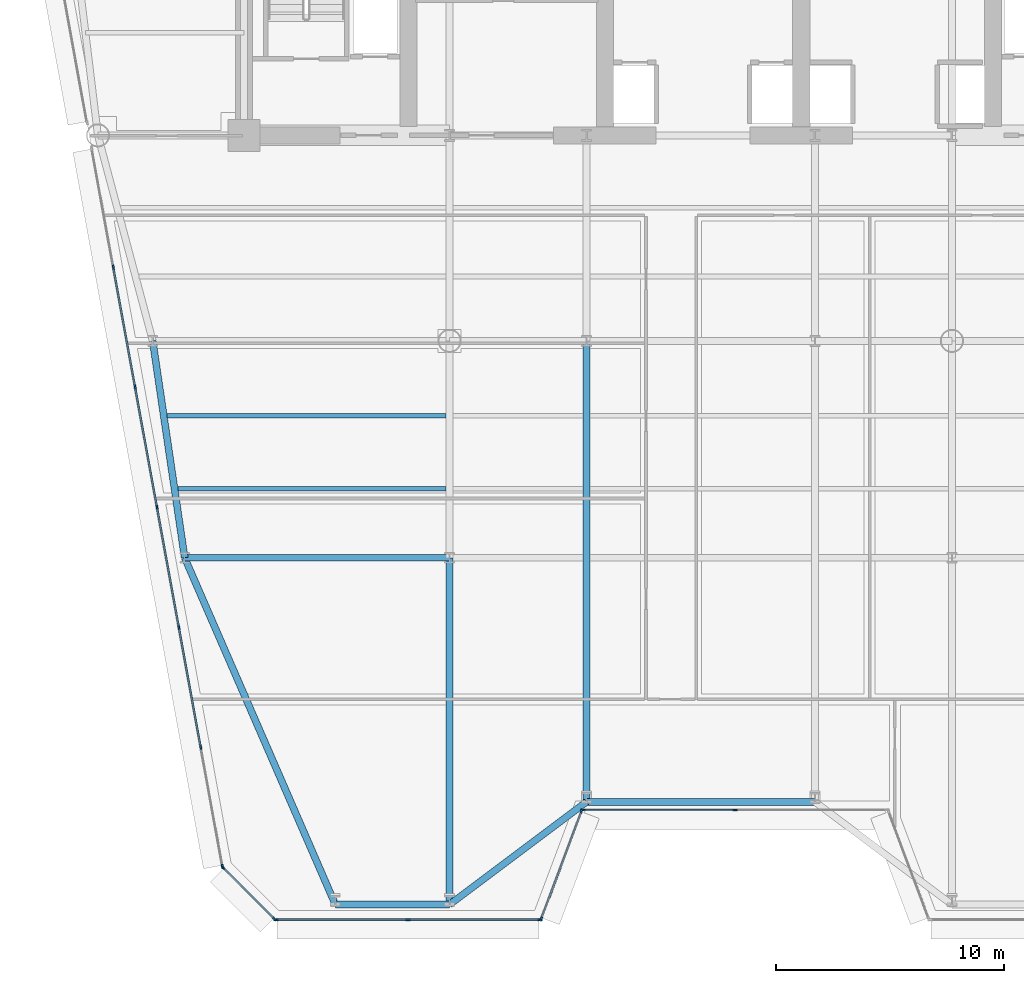
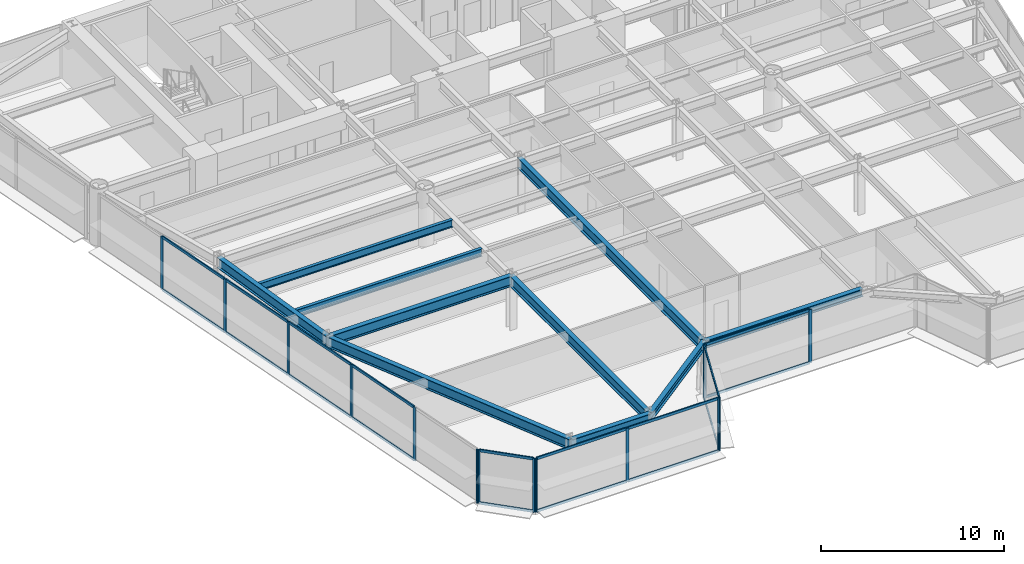
# One storey, part 2 of 14: 33 members, 10 beams, 5 elements without a shape of their own.
"""IFC4 building model written with IfcOpenShell, lengths in metres."""

import ifcopenshell
import ifcopenshell.guid

model = None  # the IFC model being written
_history = None  # IfcOwnerHistory: only IFC2X3 demands one
_inside = {}  # id of a spatial element -> (the spatial element, [elements in it])
_under = {}  # id of a project, library or spatial element -> (it, [spatial elements below it])
_declared = {}  # id of a project -> (the project, [libraries it declares])
_typed = {}  # id of a type object -> (the type object, [elements of that type])
_made_of = {}  # id of a material, layer set ... -> (it, [elements and type objects made of it])


def new_model(schema):
    """Start an empty IFC model of exactly this schema.

    Asked for "IFC4X3", IfcOpenShell would pick the latest addendum, in which some entities
    have other attributes; the version numbers below select the first issue.
    IFC2X3 requires an IfcOwnerHistory on every rooted entity: one is made here for all.
    """
    global model, _history
    if schema == "IFC4X3":
        model = ifcopenshell.file(schema_version=(4, 3, 0, 0))
    else:
        model = ifcopenshell.file(schema=schema)
    _inside.clear()
    _under.clear()
    _declared.clear()
    _typed.clear()
    _made_of.clear()
    _history = None
    if model.schema == "IFC2X3":
        org = make("IfcOrganization", Name="unknown")
        user = make(
            "IfcPersonAndOrganization",
            ThePerson=make("IfcPerson", FamilyName="unknown"),
            TheOrganization=org,
        )
        app = make(
            "IfcApplication",
            ApplicationDeveloper=org,
            Version="unknown",
            ApplicationFullName="unknown",
            ApplicationIdentifier="unknown",
        )
        _history = make(
            "IfcOwnerHistory",
            OwningUser=user,
            OwningApplication=app,
            ChangeAction="ADDED",
            CreationDate=0,
        )
    return model


def make(cls, **values):
    """One entity of the class cls with the attributes given. An attribute that is None is left unset."""
    return model.create_entity(
        cls, **{name: value for name, value in values.items() if value is not None}
    )


def rooted(cls, **values):
    """An entity with a GlobalId (a new one), such as an element, a storey or a relation."""
    return make(cls, GlobalId=ifcopenshell.guid.new(), OwnerHistory=_history, **values)


def si_unit(unit_type, name, prefix=None):
    """IfcSIUnit, for example si_unit("LENGTHUNIT", "METRE", prefix="MILLI")."""
    return make("IfcSIUnit", UnitType=unit_type, Prefix=prefix, Name=name)


def assignment(units):
    """IfcUnitAssignment: the units of a project."""
    return None if units is None else make("IfcUnitAssignment", Units=units)


def point(xyz):
    """IfcCartesianPoint."""
    return None if xyz is None else make("IfcCartesianPoint", Coordinates=xyz)


def direction(xyz):
    """IfcDirection."""
    return None if xyz is None else make("IfcDirection", DirectionRatios=xyz)


def frame(location, z_axis=None, x_axis=None):
    """IfcAxis2Placement3D, a coordinate frame: its origin and axes. An axis left out is left unset."""
    return make(
        "IfcAxis2Placement3D",
        Location=point(location),
        Axis=direction(z_axis),
        RefDirection=direction(x_axis),
    )


def frame_2d(location, x_axis=None):
    """IfcAxis2Placement2D, a coordinate frame in the plane: its origin and x axis."""
    return make(
        "IfcAxis2Placement2D", Location=point(location), RefDirection=direction(x_axis)
    )


def origin():
    """The frame at (0, 0, 0) with its axes left unset."""
    return frame((0.0, 0.0, 0.0))


def origin_2d():
    """The frame at (0, 0) in the plane with its x axis left unset."""
    return frame_2d((0.0, 0.0))


def place(relative_to, where):
    """IfcLocalPlacement: puts the frame where relative to a parent placement (None: the world)."""
    return make(
        "IfcLocalPlacement", PlacementRelTo=relative_to, RelativePlacement=where
    )


def context(
    kind, dimensions, precision=None, world=None, true_north=None, identifier=None
):
    """IfcGeometricRepresentationContext, for example the 3D "Model" context."""
    return make(
        "IfcGeometricRepresentationContext",
        ContextIdentifier=identifier,
        ContextType=kind,
        CoordinateSpaceDimension=dimensions,
        Precision=precision,
        WorldCoordinateSystem=world,
        TrueNorth=true_north,
    )


def subcontext(parent, identifier, kind, view, scale=None):
    """IfcGeometricRepresentationSubContext, for example "Body" below "Model"."""
    return make(
        "IfcGeometricRepresentationSubContext",
        ContextIdentifier=identifier,
        ContextType=kind,
        ParentContext=parent,
        TargetScale=scale,
        TargetView=view,
    )


def project(units=None, contexts=None):
    """IfcProject with its units and contexts."""
    return rooted(
        "IfcProject",
        Name="project",
        RepresentationContexts=contexts,
        UnitsInContext=assignment(units),
    )


def spatial(cls, under=None, at=None, **own):
    """A site, building, storey or space (cls), placed at a placement, below another one or the project."""
    s = rooted(cls, ObjectPlacement=at, **own)
    if under is not None:
        _under.setdefault(under.id(), (under, []))[1].append(s)
    return s


def profile(cls, at=None, kind="AREA", **sizes):
    """A parametric profile (cls). Its sizes go by their IFC names, for example OverallWidth=200.0."""
    return make(cls, ProfileType=kind, Position=at, **sizes)


def rectangle(**sizes):
    """IfcRectangleProfileDef."""
    return profile("IfcRectangleProfileDef", **sizes)


def i_section(**sizes):
    """IfcIShapeProfileDef."""
    return profile("IfcIShapeProfileDef", **sizes)


def extrude(swept, where, along, depth):
    """IfcExtrudedAreaSolid: the profile swept, set in the frame where, extruded along a direction by depth."""
    return make(
        "IfcExtrudedAreaSolid",
        SweptArea=swept,
        Position=where,
        ExtrudedDirection=direction(along),
        Depth=depth,
    )


def shape(context_of_items, identifier, shape_type, items):
    """IfcShapeRepresentation: the items that make up one representation, for example the "Body"."""
    return make(
        "IfcShapeRepresentation",
        ContextOfItems=context_of_items,
        RepresentationIdentifier=identifier,
        RepresentationType=shape_type,
        Items=items,
    )


def source(mapping_origin, context_of_items, identifier, shape_type, items):
    """IfcRepresentationMap: a shape defined once, which mapped items show again and again."""
    return make(
        "IfcRepresentationMap",
        MappingOrigin=mapping_origin,
        MappedRepresentation=shape(context_of_items, identifier, shape_type, items),
    )


def transform(
    local_origin,
    x_axis=None,
    y_axis=None,
    z_axis=None,
    scale=None,
    scale2=None,
    scale3=None,
    uniform=True,
):
    """IfcCartesianTransformationOperator3D, or its non-uniform kind. x_axis, y_axis, z_axis: its Axis1, 2, 3."""
    if uniform:
        return make(
            "IfcCartesianTransformationOperator3D",
            Axis1=direction(x_axis),
            Axis2=direction(y_axis),
            LocalOrigin=point(local_origin),
            Scale=scale,
            Axis3=direction(z_axis),
        )
    return make(
        "IfcCartesianTransformationOperator3DnonUniform",
        Axis1=direction(x_axis),
        Axis2=direction(y_axis),
        LocalOrigin=point(local_origin),
        Scale=scale,
        Axis3=direction(z_axis),
        Scale2=scale2,
        Scale3=scale3,
    )


def mapped(mapping_source, mapping_target):
    """IfcMappedItem: shows the shape of a source again, moved by a transform."""
    return make(
        "IfcMappedItem", MappingSource=mapping_source, MappingTarget=mapping_target
    )


def material(Name=None, Category=None):
    """IfcMaterial."""
    return make("IfcMaterial", Name=Name, Category=Category)


def layer(
    of_material, thickness, ventilated=None, Name=None, Category=None, Priority=None
):
    """IfcMaterialLayer: one layer of a wall or slab, of a material (None: an air gap)."""
    return make(
        "IfcMaterialLayer",
        Material=of_material,
        LayerThickness=thickness,
        IsVentilated=ventilated,
        Name=Name,
        Category=Category,
        Priority=Priority,
    )


def layer_set(layers, Name=None):
    """IfcMaterialLayerSet."""
    return make("IfcMaterialLayerSet", MaterialLayers=layers, LayerSetName=Name)


def material_profile(
    of_material, cross_section, Name=None, Category=None, Priority=None
):
    """IfcMaterialProfile: a cross section and its material."""
    return make(
        "IfcMaterialProfile",
        Name=Name,
        Material=of_material,
        Profile=cross_section,
        Priority=Priority,
        Category=Category,
    )


def profile_set(profiles, Name=None, composite=None):
    """IfcMaterialProfileSet."""
    return make(
        "IfcMaterialProfileSet",
        Name=Name,
        MaterialProfiles=profiles,
        CompositeProfile=composite,
    )


def made_of(thing, what):
    """Note that an element or type object is made of a material, layer set ...; save() writes the relation."""
    if what is not None:
        _made_of.setdefault(what.id(), (what, []))[1].append(thing)
    return thing


def type_object(cls, material=None, **own):
    """A type object (cls), such as IfcWallType, which elements share."""
    return made_of(rooted(cls, **own), material)


def element(
    cls,
    number,
    at=None,
    inside=None,
    cuts=None,
    type_object=None,
    material=None,
    context=None,
    identifier="Body",
    shape_type=None,
    held_by="IfcProductDefinitionShape",
    body=None,
    shapes=None,
    **own,
):
    """One element of the class cls, such as IfcWall. Its Tag is "e" and its number.

    at: its placement. inside: the storey or other place that contains it. cuts: it is an
    opening in that element (IfcRelVoidsElement). A single representation is given by context,
    identifier, shape_type and body (its items); several are given by shapes. held_by: the class
    of the entity that holds the representations. save() writes the other relations.
    """
    e = rooted(cls, Tag="e%d" % number, ObjectPlacement=at, **own)
    if body is not None:
        shapes = [shape(context, identifier, shape_type, body)]
    if shapes is not None:
        e.Representation = make(held_by, Representations=shapes)
    if inside is not None:
        _inside.setdefault(inside.id(), (inside, []))[1].append(e)
    if cuts is not None:
        rooted(
            "IfcRelVoidsElement", RelatingBuildingElement=cuts, RelatedOpeningElement=e
        )
    if type_object is not None:
        _typed.setdefault(type_object.id(), (type_object, []))[1].append(e)
    return made_of(e, material)


def aggregate(whole, parts):
    """IfcRelAggregates: a whole, such as a stair, and the parts it consists of."""
    return rooted("IfcRelAggregates", RelatingObject=whole, RelatedObjects=parts)


def save(model, path):
    """Write the relations noted so far, then the file.

    IfcRelAggregates (storeys below a building ...), IfcRelContainedInSpatialStructure (elements
    in a storey), IfcRelDefinesByType, IfcRelAssociatesMaterial and IfcRelDeclares: one each for
    every whole, place, type object, material and project.
    """
    for whole, parts in _under.values():
        aggregate(whole, parts)
    for where, things in _inside.values():
        rooted(
            "IfcRelContainedInSpatialStructure",
            RelatedElements=things,
            RelatingStructure=where,
        )
    for kind, things in _typed.values():
        rooted("IfcRelDefinesByType", RelatedObjects=things, RelatingType=kind)
    for what, things in _made_of.values():
        rooted("IfcRelAssociatesMaterial", RelatedObjects=things, RelatingMaterial=what)
    for by, libraries in _declared.values():
        rooted("IfcRelDeclares", RelatingContext=by, RelatedDefinitions=libraries)
    model.write(path)


model = new_model("IFC4")

# Units and contexts
model_context = context("Model", 3, precision=1e-05, world=origin(), true_north=direction((0.0, 1.0)))
body_context = subcontext(model_context, "Body", "Model", "MODEL_VIEW")
ifc_project = project(units=[si_unit("LENGTHUNIT", "METRE"), si_unit("AREAUNIT", "SQUARE_METRE"), si_unit("VOLUMEUNIT", "CUBIC_METRE"), si_unit("PLANEANGLEUNIT", "RADIAN"), si_unit("MASSUNIT", "GRAM", prefix="KILO")], contexts=[model_context])

# Site, building, storey
site_placement = place(None, origin())
site = spatial("IfcSite", under=ifc_project, at=site_placement, CompositionType="ELEMENT")
building_placement = place(site_placement, origin())
building = spatial("IfcBuilding", under=site, at=building_placement, Name="Vaeldorn Concourse Tower", CompositionType="ELEMENT")
storey_placement = place(building_placement, frame((0.0, 0.0, 111.0)))
storey = spatial("IfcBuildingStorey", under=building, at=storey_placement, Name="L28", CompositionType="ELEMENT", Elevation=111.0)

# Beams
ifc_material_1 = material(Name="Steel S355", Category="steel")
ifc_material_profile_1 = material_profile(ifc_material_1, i_section(OverallWidth=0.199951171875, OverallDepth=0.5, WebThickness=0.01025390625, FlangeThickness=0.01611328125, FilletRadius=0.02099609375, at=origin_2d()), Name="IPE 500")
ifc_profile_set_1 = profile_set([ifc_material_profile_1], Name="Steel S355")
beam_type_1 = type_object("IfcBeamType", Name="BM-JS-IPE500", PredefinedType="JOIST", material=ifc_profile_set_1)
shared_shape_1 = source(origin(), body_context, "Body", "SweptSolid", [
    extrude(i_section(OverallWidth=0.199951171875, OverallDepth=0.5, WebThickness=0.01025390625, FlangeThickness=0.01611328125, FilletRadius=0.02099609375, at=origin_2d()), origin(), (0.0, 0.0, 1.0), 11.7451171875),
])
beam_1_placement = place(storey_placement, frame((11.10498046875, 21.02001953125, 3.330078125), z_axis=(1.0, 0.0, 0.0), x_axis=(0.0, 1.0, 0.0)))
element("IfcBeam", 1, at=beam_1_placement, inside=storey, type_object=beam_type_1, Name="Beam JS-L28-W1-210", PredefinedType="JOIST", context=body_context, shape_type="MappedRepresentation", body=[
    mapped(shared_shape_1, transform((0.0, 0.0, 0.0), scale=1.0)),
])
shared_shape_2 = source(origin(), body_context, "Body", "SweptSolid", [
    extrude(i_section(OverallWidth=0.199951171875, OverallDepth=0.5, WebThickness=0.01025390625, FlangeThickness=0.01611328125, FilletRadius=0.02099609375, at=origin_2d()), origin(), (0.0, 0.0, 1.0), 12.216796875),
])
beam_2_placement = place(storey_placement, frame((10.63330078125, 24.219970703125, 3.330078125), z_axis=(1.0, 0.0, 0.0), x_axis=(0.0, 1.0, 0.0)))
element("IfcBeam", 2, at=beam_2_placement, inside=storey, type_object=beam_type_1, Name="Beam JS-L28-W1-242", PredefinedType="JOIST", context=body_context, shape_type="MappedRepresentation", body=[
    mapped(shared_shape_2, transform((0.0, 0.0, 0.0), scale=1.0)),
])
ifc_material_profile_2 = material_profile(ifc_material_1, i_section(OverallWidth=0.300048828125, OverallDepth=0.5, WebThickness=0.014404296875, FlangeThickness=0.028076171875, FilletRadius=0.027099609375, at=origin_2d()), Name="HEB 500")
ifc_profile_set_2 = profile_set([ifc_material_profile_2], Name="Steel S355")
beam_type_2 = type_object("IfcBeamType", Name="BM-SP-HEB500", PredefinedType="SPANDREL", material=ifc_profile_set_2)
shared_shape_3 = source(origin(), body_context, "Body", "SweptSolid", [
    extrude(i_section(OverallWidth=0.300048828125, OverallDepth=0.5, WebThickness=0.014404296875, FlangeThickness=0.028076171875, FilletRadius=0.027099609375, at=origin_2d()), origin(), (0.0, 0.0, 1.0), 5.0),
])
beam_3_placement = place(storey_placement, frame((18.0, 2.8125, 3.330078125), z_axis=(1.0, 0.0, 0.0), x_axis=(0.0, 1.0, 0.0)))
element("IfcBeam", 3, at=beam_3_placement, inside=storey, type_object=beam_type_2, Name="Beam BM-L28-C-SF1-C-SF2", PredefinedType="SPANDREL", context=body_context, shape_type="MappedRepresentation", body=[
    mapped(shared_shape_3, transform((0.0, 0.0, 0.0), scale=1.0)),
])
shared_shape_4 = source(origin(), body_context, "Body", "SweptSolid", [
    extrude(i_section(OverallWidth=0.300048828125, OverallDepth=0.5, WebThickness=0.014404296875, FlangeThickness=0.028076171875, FilletRadius=0.027099609375, at=origin_2d()), origin(), (0.0, 0.0, 1.0), 7.5),
])
beam_4_placement = place(storey_placement, frame((23.0, 2.8125, 3.330078125), z_axis=(0.8, 0.6, 0.0), x_axis=(-0.6, 0.8, 0.0)))
element("IfcBeam", 4, at=beam_4_placement, inside=storey, type_object=beam_type_2, Name="Beam BM-L28-C-SF2-C-SF3", PredefinedType="SPANDREL", context=body_context, shape_type="MappedRepresentation", body=[
    mapped(shared_shape_4, transform((0.0, 0.0, 0.0), scale=1.0)),
])
shared_shape_5 = source(origin(), body_context, "Body", "SweptSolid", [
    extrude(i_section(OverallWidth=0.300048828125, OverallDepth=0.5, WebThickness=0.014404296875, FlangeThickness=0.028076171875, FilletRadius=0.027099609375, at=origin_2d()), origin(), (0.0, 0.0, 1.0), 10.0),
])
beam_5_placement = place(storey_placement, frame((29.0, 7.3125, 3.330078125), z_axis=(1.0, 0.0, 0.0), x_axis=(0.0, 1.0, 0.0)))
element("IfcBeam", 5, at=beam_5_placement, inside=storey, type_object=beam_type_2, Name="Beam BM-L28-C-SF3-C-SF4", PredefinedType="SPANDREL", context=body_context, shape_type="MappedRepresentation", body=[
    mapped(shared_shape_5, transform((0.0, 0.0, 0.0), scale=1.0)),
])
ifc_material_profile_3 = material_profile(ifc_material_1, i_section(OverallWidth=0.300048828125, OverallDepth=0.699951171875, WebThickness=0.01708984375, FlangeThickness=0.031982421875, FilletRadius=0.027099609375, at=origin_2d()), Name="HEB 700")
ifc_profile_set_3 = profile_set([ifc_material_profile_3], Name="Steel S355")
beam_type_3 = type_object("IfcBeamType", Name="BM-PG-HEB700", PredefinedType="BEAM", material=ifc_profile_set_3)
shared_shape_6 = source(origin(), body_context, "Body", "SweptSolid", [
    extrude(i_section(OverallWidth=0.300048828125, OverallDepth=0.699951171875, WebThickness=0.01708984375, FlangeThickness=0.031982421875, FilletRadius=0.027099609375, at=origin_2d()), origin(), (0.0, 0.0, 1.0), 9.6025390625),
])
beam_6_placement = place(storey_placement, frame((10.0, 27.5, 3.22998046875), z_axis=(0.145783835977, -0.989316467652, 0.0), x_axis=(0.989316467652, 0.145783835977, 0.0)))
element("IfcBeam", 6, at=beam_6_placement, inside=storey, type_object=beam_type_3, Name="Beam BM-L28-C-FLW1-C-FLW2", PredefinedType="BEAM", context=body_context, shape_type="MappedRepresentation", body=[
    mapped(shared_shape_6, transform((0.0, 0.0, 0.0), scale=1.0)),
])
shared_shape_7 = source(origin(), body_context, "Body", "SweptSolid", [
    extrude(i_section(OverallWidth=0.300048828125, OverallDepth=0.699951171875, WebThickness=0.01708984375, FlangeThickness=0.031982421875, FilletRadius=0.027099609375, at=origin_2d()), origin(), (0.0, 0.0, 1.0), 11.60009765625),
])
beam_7_placement = place(storey_placement, frame((11.39990234375, 18.0, 3.22998046875), z_axis=(1.0, 0.0, 0.0), x_axis=(0.0, 1.0, 0.0)))
element("IfcBeam", 7, at=beam_7_placement, inside=storey, type_object=beam_type_3, Name="Beam BM-L28-C-FLW2-C-TW5", PredefinedType="BEAM", context=body_context, shape_type="MappedRepresentation", body=[
    mapped(shared_shape_7, transform((0.0, 0.0, 0.0), scale=1.0)),
])
shared_shape_8 = source(origin(), body_context, "Body", "SweptSolid", [
    extrude(i_section(OverallWidth=0.300048828125, OverallDepth=0.699951171875, WebThickness=0.01708984375, FlangeThickness=0.031982421875, FilletRadius=0.027099609375, at=origin_2d()), origin(), (0.0, 0.0, 1.0), 16.5595703125),
])
beam_8_placement = place(storey_placement, frame((18.0, 2.8125, 3.22998046875), z_axis=(-0.398565454531, 0.917139890341, 0.0), x_axis=(-0.917139890341, -0.398565454531, 0.0)))
element("IfcBeam", 8, at=beam_8_placement, inside=storey, type_object=beam_type_3, Name="Beam BM-L28-C-SF1-C-FLW2", PredefinedType="BEAM", context=body_context, shape_type="MappedRepresentation", body=[
    mapped(shared_shape_8, transform((0.0, 0.0, 0.0), scale=1.0)),
])
shared_shape_9 = source(origin(), body_context, "Body", "SweptSolid", [
    extrude(i_section(OverallWidth=0.300048828125, OverallDepth=0.699951171875, WebThickness=0.01708984375, FlangeThickness=0.031982421875, FilletRadius=0.027099609375, at=origin_2d()), origin(), (0.0, 0.0, 1.0), 15.1875),
])
beam_9_placement = place(storey_placement, frame((23.0, 2.8125, 3.22998046875), z_axis=(0.0, 1.0, 0.0), x_axis=(-1.0, 0.0, 0.0)))
element("IfcBeam", 9, at=beam_9_placement, inside=storey, type_object=beam_type_3, Name="Beam BM-L28-C-SF2-C-TW5", PredefinedType="BEAM", context=body_context, shape_type="MappedRepresentation", body=[
    mapped(shared_shape_9, transform((0.0, 0.0, 0.0), scale=1.0)),
])
shared_shape_10 = source(origin(), body_context, "Body", "SweptSolid", [
    extrude(i_section(OverallWidth=0.300048828125, OverallDepth=0.699951171875, WebThickness=0.01708984375, FlangeThickness=0.031982421875, FilletRadius=0.027099609375, at=origin_2d()), origin(), (0.0, 0.0, 1.0), 20.1875),
])
beam_10_placement = place(storey_placement, frame((29.0, 7.3125, 3.22998046875), z_axis=(0.0, 1.0, 0.0), x_axis=(-1.0, 0.0, 0.0)))
element("IfcBeam", 10, at=beam_10_placement, inside=storey, type_object=beam_type_3, Name="Beam BM-L28-C-SF3-C-TW2", PredefinedType="BEAM", context=body_context, shape_type="MappedRepresentation", body=[
    mapped(shared_shape_10, transform((0.0, 0.0, 0.0), scale=1.0)),
])

# Curtain wall, members
ifc_material_2 = material(Name="Anodised Bronze Aluminium", Category="aluminium")
ifc_layer = layer(ifc_material_2, 0.199951171875)
ifc_layer_set = layer_set([ifc_layer], Name="Anodised Bronze Aluminium")
curtain_wall_type = type_object("IfcCurtainWallType", Name="CW-SYS-02", PredefinedType="NOTDEFINED", material=ifc_layer_set)
curtain_wall_1_placement = place(storey_placement, origin())
curtain_wall_1 = element("IfcCurtainWall", 11, at=curtain_wall_1_placement, inside=storey, type_object=curtain_wall_type, Name="Unitised Curtain Wall CW-L28-E03-1", PredefinedType="NOTDEFINED")
ifc_material_profile_4 = material_profile(ifc_material_2, rectangle(XDim=0.074951171875, YDim=0.179931640625, at=origin_2d()), Name="CWT 75x180")
ifc_profile_set_4 = profile_set([ifc_material_profile_4], Name="Anodised Bronze Aluminium")
member_type_1 = type_object("IfcMemberType", Name="CWT-BRONZE-180", PredefinedType="USERDEFINED", material=ifc_profile_set_4)
shared_shape_11 = source(origin(), body_context, "Body", "SweptSolid", [
    extrude(rectangle(XDim=0.074951171875, YDim=0.179931640625, at=origin_2d()), origin(), (0.0, 0.0, 1.0), 6.58740234375),
])
member_1_placement = place(storey_placement, frame((28.875, 6.95166015625, 0.03759765625), z_axis=(1.0, 0.0, 0.0), x_axis=(0.0, 1.0, 0.0)))
member_1 = element("IfcMember", 12, at=member_1_placement, type_object=member_type_1, Name="CW-02 transom 1.1", ObjectType="TRANSOM", PredefinedType="USERDEFINED", context=body_context, shape_type="MappedRepresentation", body=[
    mapped(shared_shape_11, transform((0.0, 0.0, 0.0), scale=1.0)),
])
member_2_placement = place(storey_placement, frame((28.875, 6.95166015625, 3.54248046875), z_axis=(1.0, 0.0, 0.0), x_axis=(0.0, 1.0, 0.0)))
member_2 = element("IfcMember", 13, at=member_2_placement, type_object=member_type_1, Name="CW-02 transom 1.2", ObjectType="TRANSOM", PredefinedType="USERDEFINED", context=body_context, shape_type="MappedRepresentation", body=[
    mapped(shared_shape_11, transform((0.0, 0.0, 0.0), scale=1.0)),
])

curtain_wall_2_placement = place(storey_placement, origin())
curtain_wall_2 = element("IfcCurtainWall", 14, at=curtain_wall_2_placement, inside=storey, type_object=curtain_wall_type, Name="Unitised Curtain Wall CW-L28-E02-1", PredefinedType="NOTDEFINED")
shared_shape_12 = source(origin(), body_context, "Body", "SweptSolid", [
    extrude(rectangle(XDim=0.074951171875, YDim=0.179931640625, at=origin_2d()), origin(), (0.0, 0.0, 1.0), 4.9765625),
])
member_3_placement = place(storey_placement, frame((27.0263671875, 2.221923828125, 0.03759765625), z_axis=(0.351112688987, 0.936333209724, 0.0), x_axis=(-0.936333209724, 0.351112688987, 0.0)))
member_3 = element("IfcMember", 15, at=member_3_placement, type_object=member_type_1, Name="CW-02 transom 1.1", ObjectType="TRANSOM", PredefinedType="USERDEFINED", context=body_context, shape_type="MappedRepresentation", body=[
    mapped(shared_shape_12, transform((0.0, 0.0, 0.0), scale=1.0)),
])
member_4_placement = place(storey_placement, frame((27.0263671875, 2.221923828125, 3.54248046875), z_axis=(0.351112688987, 0.936333209724, 0.0), x_axis=(-0.936333209724, 0.351112688987, 0.0)))
member_4 = element("IfcMember", 16, at=member_4_placement, type_object=member_type_1, Name="CW-02 transom 1.2", ObjectType="TRANSOM", PredefinedType="USERDEFINED", context=body_context, shape_type="MappedRepresentation", body=[
    mapped(shared_shape_12, transform((0.0, 0.0, 0.0), scale=1.0)),
])

curtain_wall_3_placement = place(storey_placement, origin())
curtain_wall_3 = element("IfcCurtainWall", 17, at=curtain_wall_3_placement, inside=storey, type_object=curtain_wall_type, Name="Unitised Curtain Wall CW-L28-E12-1", PredefinedType="NOTDEFINED")
shared_shape_13 = source(origin(), body_context, "Body", "SweptSolid", [
    extrude(rectangle(XDim=0.074951171875, YDim=0.179931640625, at=origin_2d()), origin(), (0.0, 0.0, 1.0), 3.1025390625),
])
member_5_placement = place(storey_placement, frame((13.113037109375, 4.398681640625, 0.03759765625), z_axis=(0.707106781187, -0.707106781187, 0.0), x_axis=(0.707106781187, 0.707106781187, 0.0)))
member_5 = element("IfcMember", 18, at=member_5_placement, type_object=member_type_1, Name="CW-02 transom 1.1", ObjectType="TRANSOM", PredefinedType="USERDEFINED", context=body_context, shape_type="MappedRepresentation", body=[
    mapped(shared_shape_13, transform((0.0, 0.0, 0.0), scale=1.0)),
])
member_6_placement = place(storey_placement, frame((13.113037109375, 4.398681640625, 3.54248046875), z_axis=(0.707106781187, -0.707106781187, 0.0), x_axis=(0.707106781187, 0.707106781187, 0.0)))
member_6 = element("IfcMember", 19, at=member_6_placement, type_object=member_type_1, Name="CW-02 transom 1.2", ObjectType="TRANSOM", PredefinedType="USERDEFINED", context=body_context, shape_type="MappedRepresentation", body=[
    mapped(shared_shape_13, transform((0.0, 0.0, 0.0), scale=1.0)),
])

curtain_wall_4_placement = place(storey_placement, origin())
curtain_wall_4 = element("IfcCurtainWall", 20, at=curtain_wall_4_placement, inside=storey, type_object=curtain_wall_type, Name="Unitised Curtain Wall CW-L28-E01-1", PredefinedType="NOTDEFINED")
shared_shape_14 = source(origin(), body_context, "Body", "SweptSolid", [
    extrude(rectangle(XDim=0.074951171875, YDim=0.179931640625, at=origin_2d()), origin(), (0.0, 0.0, 1.0), 5.70751953125),
])
member_7_placement = place(storey_placement, frame((15.43505859375, 2.151611328125, 0.03759765625), z_axis=(1.0, 0.0, 0.0), x_axis=(0.0, 1.0, 0.0)))
member_7 = element("IfcMember", 21, at=member_7_placement, type_object=member_type_1, Name="CW-02 transom 1.1", ObjectType="TRANSOM", PredefinedType="USERDEFINED", context=body_context, shape_type="MappedRepresentation", body=[
    mapped(shared_shape_14, transform((0.0, 0.0, 0.0), scale=1.0)),
])
member_8_placement = place(storey_placement, frame((15.43505859375, 2.151611328125, 3.54248046875), z_axis=(1.0, 0.0, 0.0), x_axis=(0.0, 1.0, 0.0)))
member_8 = element("IfcMember", 22, at=member_8_placement, type_object=member_type_1, Name="CW-02 transom 1.2", ObjectType="TRANSOM", PredefinedType="USERDEFINED", context=body_context, shape_type="MappedRepresentation", body=[
    mapped(shared_shape_14, transform((0.0, 0.0, 0.0), scale=1.0)),
])
member_9_placement = place(storey_placement, frame((21.217529296875, 2.151611328125, 0.03759765625), z_axis=(1.0, 0.0, 0.0), x_axis=(0.0, 1.0, 0.0)))
member_9 = element("IfcMember", 23, at=member_9_placement, type_object=member_type_1, Name="CW-02 transom 2.1", ObjectType="TRANSOM", PredefinedType="USERDEFINED", context=body_context, shape_type="MappedRepresentation", body=[
    mapped(shared_shape_14, transform((0.0, 0.0, 0.0), scale=1.0)),
])
member_10_placement = place(storey_placement, frame((21.217529296875, 2.151611328125, 3.54248046875), z_axis=(1.0, 0.0, 0.0), x_axis=(0.0, 1.0, 0.0)))
member_10 = element("IfcMember", 24, at=member_10_placement, type_object=member_type_1, Name="CW-02 transom 2.2", ObjectType="TRANSOM", PredefinedType="USERDEFINED", context=body_context, shape_type="MappedRepresentation", body=[
    mapped(shared_shape_14, transform((0.0, 0.0, 0.0), scale=1.0)),
])
ifc_material_profile_5 = material_profile(ifc_material_2, rectangle(XDim=0.074951171875, YDim=0.18994140625, at=origin_2d()), Name="CWM 75x190")
ifc_profile_set_5 = profile_set([ifc_material_profile_5], Name="Anodised Bronze Aluminium")
member_type_2 = type_object("IfcMemberType", Name="CWM-BRONZE-190", PredefinedType="MULLION", material=ifc_profile_set_5)
shared_shape_15 = source(origin(), body_context, "Body", "SweptSolid", [
    extrude(rectangle(XDim=0.074951171875, YDim=0.18994140625, at=origin_2d()), origin(), (0.0, 0.0, 1.0), 3.580078125),
])
member_11_placement = place(storey_placement, frame((15.3974609375, 2.151611328125, 0.0), z_axis=(0.0, 0.0, 1.0), x_axis=(0.0, 1.0, 0.0)))
member_11 = element("IfcMember", 25, at=member_11_placement, type_object=member_type_2, Name="CW-02 mullion 1", PredefinedType="MULLION", context=body_context, shape_type="MappedRepresentation", body=[
    mapped(shared_shape_15, transform((0.0, 0.0, 0.0), scale=1.0)),
])
member_12_placement = place(storey_placement, frame((21.179931640625, 2.151611328125, 0.0), z_axis=(0.0, 0.0, 1.0), x_axis=(0.0, 1.0, 0.0)))
member_12 = element("IfcMember", 26, at=member_12_placement, type_object=member_type_2, Name="CW-02 mullion 2", PredefinedType="MULLION", context=body_context, shape_type="MappedRepresentation", body=[
    mapped(shared_shape_15, transform((0.0, 0.0, 0.0), scale=1.0)),
])
member_13_placement = place(storey_placement, frame((26.96240234375, 2.151611328125, 0.0), z_axis=(0.0, 0.0, 1.0), x_axis=(0.0, 1.0, 0.0)))
member_13 = element("IfcMember", 27, at=member_13_placement, type_object=member_type_2, Name="CW-02 mullion 3", PredefinedType="MULLION", context=body_context, shape_type="MappedRepresentation", body=[
    mapped(shared_shape_15, transform((0.0, 0.0, 0.0), scale=1.0)),
])
aggregate(curtain_wall_4, [member_11, member_12, member_13, member_7, member_8, member_9, member_10])

# Member
member_14_placement = place(storey_placement, frame((27.01318359375, 2.186767578125, 0.0), z_axis=(0.0, 0.0, 1.0), x_axis=(-0.936329177566, 0.351123441595, 0.0)))
member_14 = element("IfcMember", 28, at=member_14_placement, type_object=member_type_2, Name="CW-02 mullion 1", PredefinedType="MULLION", context=body_context, shape_type="MappedRepresentation", body=[
    mapped(shared_shape_15, transform((0.0, 0.0, 0.0), scale=1.0)),
])

member_15_placement = place(storey_placement, frame((28.786865234375, 6.91650390625, 0.0), z_axis=(0.0, 0.0, 1.0), x_axis=(-0.936329177566, 0.351123441595, 0.0)))
member_15 = element("IfcMember", 29, at=member_15_placement, type_object=member_type_2, Name="CW-02 mullion 2", PredefinedType="MULLION", context=body_context, shape_type="MappedRepresentation", body=[
    mapped(shared_shape_15, transform((0.0, 0.0, 0.0), scale=1.0)),
])

aggregate(curtain_wall_2, [member_14, member_15, member_3, member_4])

member_16_placement = place(storey_placement, frame((28.83740234375, 6.95166015625, 0.0), z_axis=(0.0, 0.0, 1.0), x_axis=(0.0, 1.0, 0.0)))
member_16 = element("IfcMember", 30, at=member_16_placement, type_object=member_type_2, Name="CW-02 mullion 1", PredefinedType="MULLION", context=body_context, shape_type="MappedRepresentation", body=[
    mapped(shared_shape_15, transform((0.0, 0.0, 0.0), scale=1.0)),
])

member_17_placement = place(storey_placement, frame((35.5, 6.95166015625, 0.0), z_axis=(0.0, 0.0, 1.0), x_axis=(0.0, 1.0, 0.0)))
member_17 = element("IfcMember", 31, at=member_17_placement, type_object=member_type_2, Name="CW-02 mullion 2", PredefinedType="MULLION", context=body_context, shape_type="MappedRepresentation", body=[
    mapped(shared_shape_15, transform((0.0, 0.0, 0.0), scale=1.0)),
])

aggregate(curtain_wall_1, [member_16, member_17, member_1, member_2])

# Curtain wall, members
curtain_wall_5_placement = place(storey_placement, origin())
curtain_wall_5 = element("IfcCurtainWall", 32, at=curtain_wall_5_placement, inside=storey, type_object=curtain_wall_type, Name="Unitised Curtain Wall CW-L28-E11-2", PredefinedType="NOTDEFINED")
member_18_placement = place(storey_placement, frame((8.27392578125, 30.72705078125, 0.0), z_axis=(0.0, 0.0, 1.0), x_axis=(0.983811547347, 0.179206136352, 0.0)))
member_18 = element("IfcMember", 33, at=member_18_placement, type_object=member_type_2, Name="CW-02 mullion 2", PredefinedType="MULLION", context=body_context, shape_type="MappedRepresentation", body=[
    mapped(shared_shape_15, transform((0.0, 0.0, 0.0), scale=1.0)),
])
member_19_placement = place(storey_placement, frame((9.23095703125, 25.471923828125, 0.0), z_axis=(0.0, 0.0, 1.0), x_axis=(0.983811547347, 0.179206136352, 0.0)))
member_19 = element("IfcMember", 34, at=member_19_placement, type_object=member_type_2, Name="CW-02 mullion 3", PredefinedType="MULLION", context=body_context, shape_type="MappedRepresentation", body=[
    mapped(shared_shape_15, transform((0.0, 0.0, 0.0), scale=1.0)),
])
member_20_placement = place(storey_placement, frame((10.188232421875, 20.216796875, 0.0), z_axis=(0.0, 0.0, 1.0), x_axis=(0.983811547347, 0.179206136352, 0.0)))
member_20 = element("IfcMember", 35, at=member_20_placement, type_object=member_type_2, Name="CW-02 mullion 4", PredefinedType="MULLION", context=body_context, shape_type="MappedRepresentation", body=[
    mapped(shared_shape_15, transform((0.0, 0.0, 0.0), scale=1.0)),
])
member_21_placement = place(storey_placement, frame((11.1455078125, 14.9619140625, 0.0), z_axis=(0.0, 0.0, 1.0), x_axis=(0.983811547347, 0.179206136352, 0.0)))
member_21 = element("IfcMember", 36, at=member_21_placement, type_object=member_type_2, Name="CW-02 mullion 5", PredefinedType="MULLION", context=body_context, shape_type="MappedRepresentation", body=[
    mapped(shared_shape_15, transform((0.0, 0.0, 0.0), scale=1.0)),
])
member_22_placement = place(storey_placement, frame((12.102783203125, 9.706787109375, 0.0), z_axis=(0.0, 0.0, 1.0), x_axis=(0.983811547347, 0.179206136352, 0.0)))
member_22 = element("IfcMember", 37, at=member_22_placement, type_object=member_type_2, Name="CW-02 mullion 6", PredefinedType="MULLION", context=body_context, shape_type="MappedRepresentation", body=[
    mapped(shared_shape_15, transform((0.0, 0.0, 0.0), scale=1.0)),
])
member_23_placement = place(storey_placement, frame((13.05322265625, 4.488525390625, 0.0), z_axis=(0.0, 0.0, 1.0), x_axis=(0.983811547347, 0.179206136352, 0.0)))
member_23 = element("IfcMember", 38, at=member_23_placement, type_object=member_type_2, Name="CW-02 mullion 7", PredefinedType="MULLION", context=body_context, shape_type="MappedRepresentation", body=[
    mapped(shared_shape_15, transform((0.0, 0.0, 0.0), scale=1.0)),
])

# Member
member_24_placement = place(storey_placement, frame((13.08642578125, 4.42529296875, 0.0), z_axis=(0.0, 0.0, 1.0), x_axis=(0.707106781187, 0.707106781187, 0.0)))
member_24 = element("IfcMember", 39, at=member_24_placement, type_object=member_type_2, Name="CW-02 mullion 1", PredefinedType="MULLION", context=body_context, shape_type="MappedRepresentation", body=[
    mapped(shared_shape_15, transform((0.0, 0.0, 0.0), scale=1.0)),
])

member_25_placement = place(storey_placement, frame((15.33349609375, 2.17822265625, 0.0), z_axis=(0.0, 0.0, 1.0), x_axis=(0.707106781187, 0.707106781187, 0.0)))
member_25 = element("IfcMember", 40, at=member_25_placement, type_object=member_type_2, Name="CW-02 mullion 2", PredefinedType="MULLION", context=body_context, shape_type="MappedRepresentation", body=[
    mapped(shared_shape_15, transform((0.0, 0.0, 0.0), scale=1.0)),
])

aggregate(curtain_wall_3, [member_24, member_25, member_5, member_6])

shared_shape_16 = source(origin(), body_context, "Body", "SweptSolid", [
    extrude(rectangle(XDim=0.074951171875, YDim=0.179931640625, at=origin_2d()), origin(), (0.0, 0.0, 1.0), 5.266357421875),
])
member_26_placement = place(storey_placement, frame((8.280517578125, 30.68994140625, 0.03759765625), z_axis=(0.179219947037, -0.983809031563, 0.0), x_axis=(0.983809031563, 0.179219947037, 0.0)))
member_26 = element("IfcMember", 41, at=member_26_placement, type_object=member_type_1, Name="CW-02 transom 2.1", ObjectType="TRANSOM", PredefinedType="USERDEFINED", context=body_context, shape_type="MappedRepresentation", body=[
    mapped(shared_shape_16, transform((0.0, 0.0, 0.0), scale=1.0)),
])

member_27_placement = place(storey_placement, frame((8.280517578125, 30.68994140625, 3.54248046875), z_axis=(0.179219947037, -0.983809031563, 0.0), x_axis=(0.983809031563, 0.179219947037, 0.0)))
member_27 = element("IfcMember", 42, at=member_27_placement, type_object=member_type_1, Name="CW-02 transom 2.2", ObjectType="TRANSOM", PredefinedType="USERDEFINED", context=body_context, shape_type="MappedRepresentation", body=[
    mapped(shared_shape_16, transform((0.0, 0.0, 0.0), scale=1.0)),
])

member_28_placement = place(storey_placement, frame((10.195068359375, 20.179931640625, 0.03759765625), z_axis=(0.179219947037, -0.983809031563, 0.0), x_axis=(0.983809031563, 0.179219947037, 0.0)))
member_28 = element("IfcMember", 43, at=member_28_placement, type_object=member_type_1, Name="CW-02 transom 4.1", ObjectType="TRANSOM", PredefinedType="USERDEFINED", context=body_context, shape_type="MappedRepresentation", body=[
    mapped(shared_shape_16, transform((0.0, 0.0, 0.0), scale=1.0)),
])

member_29_placement = place(storey_placement, frame((10.195068359375, 20.179931640625, 3.54248046875), z_axis=(0.179219947037, -0.983809031563, 0.0), x_axis=(0.983809031563, 0.179219947037, 0.0)))
member_29 = element("IfcMember", 44, at=member_29_placement, type_object=member_type_1, Name="CW-02 transom 4.2", ObjectType="TRANSOM", PredefinedType="USERDEFINED", context=body_context, shape_type="MappedRepresentation", body=[
    mapped(shared_shape_16, transform((0.0, 0.0, 0.0), scale=1.0)),
])

member_30_placement = place(storey_placement, frame((11.15234375, 14.9248046875, 0.03759765625), z_axis=(0.179175077507, -0.983817204363, 0.0), x_axis=(0.983817204363, 0.179175077507, 0.0)))
member_30 = element("IfcMember", 45, at=member_30_placement, type_object=member_type_1, Name="CW-02 transom 5.1", ObjectType="TRANSOM", PredefinedType="USERDEFINED", context=body_context, shape_type="MappedRepresentation", body=[
    mapped(shared_shape_16, transform((0.0, 0.0, 0.0), scale=1.0)),
])

member_31_placement = place(storey_placement, frame((11.15234375, 14.9248046875, 3.54248046875), z_axis=(0.179175077507, -0.983817204363, 0.0), x_axis=(0.983817204363, 0.179175077507, 0.0)))
member_31 = element("IfcMember", 46, at=member_31_placement, type_object=member_type_1, Name="CW-02 transom 5.2", ObjectType="TRANSOM", PredefinedType="USERDEFINED", context=body_context, shape_type="MappedRepresentation", body=[
    mapped(shared_shape_16, transform((0.0, 0.0, 0.0), scale=1.0)),
])

shared_shape_17 = source(origin(), body_context, "Body", "SweptSolid", [
    extrude(rectangle(XDim=0.074951171875, YDim=0.179931640625, at=origin_2d()), origin(), (0.0, 0.0, 1.0), 5.2666015625),
])
member_32_placement = place(storey_placement, frame((9.23779296875, 25.43505859375, 0.03759765625), z_axis=(0.179211773648, -0.983810520469, 0.0), x_axis=(0.983810520469, 0.179211773648, 0.0)))
member_32 = element("IfcMember", 47, at=member_32_placement, type_object=member_type_1, Name="CW-02 transom 3.1", ObjectType="TRANSOM", PredefinedType="USERDEFINED", context=body_context, shape_type="MappedRepresentation", body=[
    mapped(shared_shape_17, transform((0.0, 0.0, 0.0), scale=1.0)),
])

member_33_placement = place(storey_placement, frame((9.23779296875, 25.43505859375, 3.54248046875), z_axis=(0.179211773648, -0.983810520469, 0.0), x_axis=(0.983810520469, 0.179211773648, 0.0)))
member_33 = element("IfcMember", 48, at=member_33_placement, type_object=member_type_1, Name="CW-02 transom 3.2", ObjectType="TRANSOM", PredefinedType="USERDEFINED", context=body_context, shape_type="MappedRepresentation", body=[
    mapped(shared_shape_17, transform((0.0, 0.0, 0.0), scale=1.0)),
])

aggregate(curtain_wall_5, [member_18, member_19, member_20, member_21, member_22, member_23, member_26, member_27, member_32, member_33, member_28, member_29, member_30, member_31])

save(model, "model.ifc")
